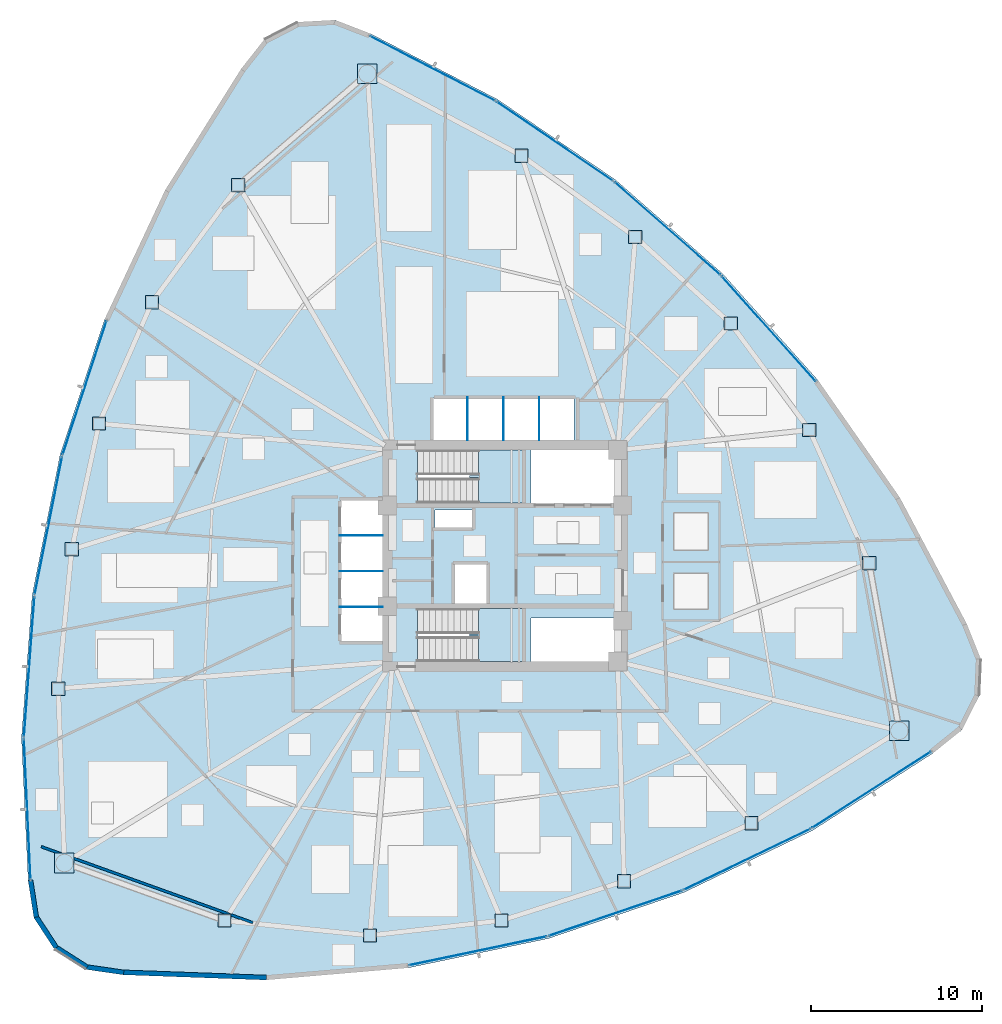
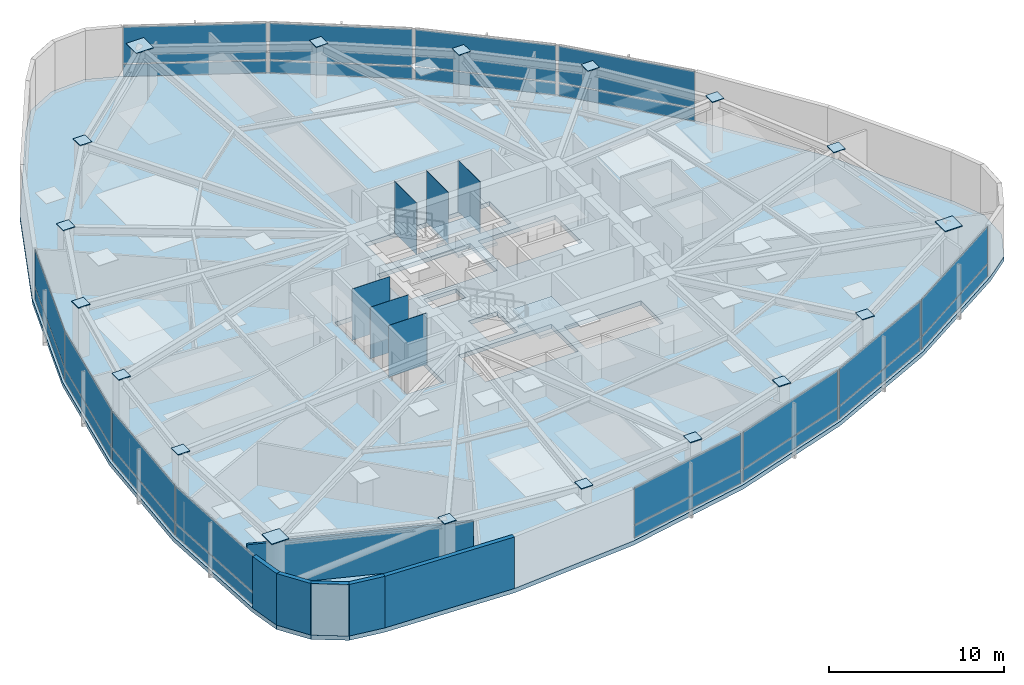
# One storey, part 10 of 17: 48 plates, 6 walls, 3 slabs, 14 elements without a shape of their own.
"""IFC4 building model written with IfcOpenShell, lengths in metres."""

from ifc_helpers import new_model, si_unit, direction, frame, frame_2d, origin, origin_2d, place, context, subcontext, project, spatial, polyline, rectangle, outline, extrude, source, transform, mapped, material, layer, layer_set, type_object, type_shapes, element, aggregate, save


model = new_model("IFC4")

# Units and contexts
model_context = context("Model", 3, precision=1e-05, world=origin(), true_north=direction((0.0, 1.0)))
body_context = subcontext(model_context, "Body", "Model", "MODEL_VIEW")
ifc_project = project(units=[si_unit("LENGTHUNIT", "METRE"), si_unit("AREAUNIT", "SQUARE_METRE"), si_unit("VOLUMEUNIT", "CUBIC_METRE"), si_unit("PLANEANGLEUNIT", "RADIAN"), si_unit("MASSUNIT", "GRAM", prefix="KILO")], contexts=[model_context])

# Site, building, storey
site_placement = place(None, origin())
site = spatial("IfcSite", under=ifc_project, at=site_placement, CompositionType="ELEMENT")
building_placement = place(site_placement, origin())
building = spatial("IfcBuilding", under=site, at=building_placement, Name="Tavelor Broadcast Tower", CompositionType="ELEMENT")
storey_placement = place(building_placement, frame((0.0, 0.0, 90.0)))
storey = spatial("IfcBuildingStorey", under=building, at=storey_placement, Name="L21", CompositionType="ELEMENT", Elevation=90.0)

# Stair, slab
ifc_material_1 = material(Name="Concrete C40/50", Category="concrete")
stair_type = type_object("IfcStairType", Name="Reinforced Concrete Protected Dogleg Stair 1450 mm", PredefinedType="HALF_TURN_STAIR", material=ifc_material_1)
stair_1_placement = place(storey_placement, origin())
stair_1 = element("IfcStair", 1, at=stair_1_placement, inside=storey, type_object=stair_type, Name="L21 Protected Core Exit Stair ST1", PredefinedType="HALF_TURN_STAIR")
ifc_layer_1 = layer(ifc_material_1, 0.199951171875)
ifc_layer_set_1 = layer_set([ifc_layer_1], Name="Concrete C40/50")
slab_type_1 = type_object("IfcSlabType", Name="Reinforced Concrete Stair Half-Landing Slab 200 mm", PredefinedType="LANDING", material=ifc_layer_set_1)
slab_1_placement = place(storey_placement, frame((0.0, 0.0, 1.75)))
slab_1 = element("IfcSlab", 2, at=slab_1_placement, type_object=slab_type_1, Name="ST1 landing 1", PredefinedType="LANDING", context=body_context, shape_type="SweptSolid", body=[
    extrude(outline(polyline([(48.445068359375, 49.590087890625), (48.445068359375, 48.094970703125), (51.0048828125, 48.094970703125), (51.0048828125, 51.205078125), (48.445068359375, 51.205078125), (48.445068359375, 49.7099609375), (47.905029296875, 49.7099609375), (47.905029296875, 49.590087890625), (48.445068359375, 49.590087890625)])), origin(), (0.0, 0.0, 1.0), 0.199951171875),
])
aggregate(stair_1, [slab_1])

stair_2_placement = place(storey_placement, origin())
stair_2 = element("IfcStair", 3, at=stair_2_placement, inside=storey, type_object=stair_type, Name="L21 Protected Core Exit Stair ST2", PredefinedType="HALF_TURN_STAIR")
slab_2_placement = place(storey_placement, frame((0.0, 0.0, 1.75)))
slab_2 = element("IfcSlab", 4, at=slab_2_placement, type_object=slab_type_1, Name="ST2 landing 1", PredefinedType="LANDING", context=body_context, shape_type="SweptSolid", body=[
    extrude(outline(polyline([(48.445068359375, 40.2900390625), (48.445068359375, 38.794921875), (51.0048828125, 38.794921875), (51.0048828125, 41.905029296875), (48.445068359375, 41.905029296875), (48.445068359375, 40.409912109375), (47.905029296875, 40.409912109375), (47.905029296875, 40.2900390625), (48.445068359375, 40.2900390625)])), origin(), (0.0, 0.0, 1.0), 0.199951171875),
])
aggregate(stair_2, [slab_2])

# Slab
ifc_layer_2 = layer(ifc_material_1, 0.300048828125)
ifc_layer_set_2 = layer_set([ifc_layer_2], Name="Concrete C40/50")
slab_type_2 = type_object("IfcSlabType", Name="Tower Composite Floor Slab 300 mm", PredefinedType="FLOOR", material=ifc_layer_set_2)
slab_3_placement = place(storey_placement, frame((0.0, 0.0, -0.300048828125)))
element("IfcSlab", 5, at=slab_3_placement, inside=storey, type_object=slab_type_2, Name="L21 Structural Floor Slab", PredefinedType="FLOOR", context=body_context, shape_type="SweptSolid", body=[
    extrude(outline(polyline([(42.08935546875, 75.62646484375), (40.035888671875, 76.4208984375), (37.83740234375, 76.2998046875), (35.88330078125, 75.284912109375), (34.520263671875, 73.5556640625), (30.069580078125, 66.4541015625), (26.510986328125, 58.866455078125), (23.896728515625, 50.903564453125), (22.265380859375, 42.68310546875), (21.640625, 34.325439453125), (22.031982421875, 25.95361328125), (22.370849609375, 23.778076171875), (23.57470703125, 21.9345703125), (25.430908203125, 20.75), (27.60986328125, 20.433837890625), (35.9853515625, 20.13037109375), (44.3359375, 20.84228515625), (52.538818359375, 22.559814453125), (60.473876953125, 25.257080078125), (68.024169921875, 28.89501953125), (75.07861328125, 33.419921875), (76.793212890625, 34.801025390625), (77.787841796875, 36.765625), (77.8857421875, 38.965087890625), (77.06982421875, 41.010498046875), (73.145263671875, 48.41552734375), (68.353271484375, 55.291259765625), (62.764404296875, 61.53662109375), (56.460693359375, 67.059814453125), (49.53515625, 71.779541015625), (42.08935546875, 75.62646484375)]), holes=[polyline([(56.60009765625, 38.800048828125), (51.52001953125, 38.800048828125), (51.52001953125, 41.35009765625), (56.60009765625, 41.35009765625), (56.60009765625, 38.800048828125)]), polyline([(50.99609375, 38.803955078125), (44.85400390625, 38.803955078125), (44.85400390625, 41.89599609375), (50.99609375, 41.89599609375), (50.99609375, 38.803955078125)]), polyline([(47.050048828125, 42.199951171875), (47.050048828125, 44.550048828125), (48.949951171875, 44.550048828125), (48.949951171875, 42.199951171875), (47.050048828125, 42.199951171875)]), polyline([(40.35009765625, 40.0), (40.35009765625, 48.25), (42.800048828125, 48.25), (42.800048828125, 40.0), (40.35009765625, 40.0)]), polyline([(48.050048828125, 46.64990234375), (45.89990234375, 46.64990234375), (45.89990234375, 47.699951171875), (48.050048828125, 47.699951171875), (48.050048828125, 46.64990234375)]), polyline([(50.99609375, 48.10400390625), (44.85400390625, 48.10400390625), (44.85400390625, 51.196044921875), (50.99609375, 51.196044921875), (50.99609375, 48.10400390625)]), polyline([(56.60009765625, 48.10009765625), (51.52001953125, 48.10009765625), (51.52001953125, 51.199951171875), (56.60009765625, 51.199951171875), (56.60009765625, 48.10009765625)]), polyline([(54.050048828125, 51.800048828125), (45.800048828125, 51.800048828125), (45.800048828125, 54.25), (54.050048828125, 54.25), (54.050048828125, 51.800048828125)])]), origin(), (0.0, 0.0, 1.0), 0.300048828125),
])

# Plates
ifc_material_2 = material(Name="Steel S460", Category="steel")
ifc_layer_3 = layer(ifc_material_2, 0.050048828125)
ifc_layer_set_3 = layer_set([ifc_layer_3], Name="Steel S460")
plate_type_1 = type_object("IfcPlateType", Name="Tube Hollow-End Cap Plate KN05 700x700x50", PredefinedType="USERDEFINED", material=ifc_layer_set_3)
shared_shape_1 = source(origin(), body_context, "Body", "SweptSolid", [
    extrude(rectangle(XDim=1.14697265625, YDim=1.14697265625, at=origin_2d()), origin(), (0.0, 0.0, 1.0), 0.054931640625),
])
for number, where, z_axis, x_axis, name in (
    (6, (41.923095703125, 73.266357421875, 3.57275390625), (0.0, 0.0, 1.0), (1.0, 0.0, 0.0), "L21 Hollow End Cap Plate KN05 #598"),
    (7, (24.1591796875, 26.98974609375, 3.57275390625), (0.0, 0.0, 1.0), (1.0, 0.0, 0.0), "L21 Hollow End Cap Plate KN05 #604"),
    (8, (73.117919921875, 34.743896484375, 3.57275390625), (0.0, 0.0, 1.0), (1.0, 0.0, 0.0), "L21 Hollow End Cap Plate KN05 #610"),
):
    element("IfcPlate", number, at=place(storey_placement, frame(where, z_axis=z_axis, x_axis=x_axis)), inside=storey, type_object=plate_type_1, Name=name, ObjectType="CAP PLATE", PredefinedType="USERDEFINED", context=body_context, shape_type="MappedRepresentation", body=[
        mapped(shared_shape_1, transform((0.0, 0.0, 0.0), scale=1.0)),
    ])
shared_shape_2 = source(origin(), body_context, "Body", "SweptSolid", [
    extrude(rectangle(XDim=0.780029296875, YDim=0.780029296875, at=origin_2d()), origin(), (0.0, 0.0, 1.0), 0.054931640625),
])
type_shapes(plate_type_1, [shared_shape_1, shared_shape_2])
for number, where, z_axis, x_axis, name in (
    (9, (34.356201171875, 66.727783203125, 3.57275390625), (0.0, 0.0, 1.0), (1.0, 0.0, 0.0), "L21 Hollow End Cap Plate KN05 #599"),
    (10, (29.292236328125, 59.87158203125, 3.57275390625), (0.0, 0.0, 1.0), (1.0, 0.0, 0.0), "L21 Hollow End Cap Plate KN05 #600"),
    (11, (26.189208984375, 52.75830078125, 3.57275390625), (0.0, 0.0, 1.0), (1.0, 0.0, 0.0), "L21 Hollow End Cap Plate KN05 #601"),
    (12, (24.58984375, 45.380615234375, 3.57275390625), (0.0, 0.0, 1.0), (1.0, 0.0, 0.0), "L21 Hollow End Cap Plate KN05 #602"),
    (13, (23.794677734375, 37.21630859375, 3.57275390625), (0.0, 0.0, 1.0), (1.0, 0.0, 0.0), "L21 Hollow End Cap Plate KN05 #603"),
    (14, (33.55078125, 23.615478515625, 3.57275390625), (0.0, 0.0, 1.0), (1.0, 0.0, 0.0), "L21 Hollow End Cap Plate KN05 #605"),
    (15, (42.0732421875, 22.740478515625, 3.57275390625), (0.0, 0.0, 1.0), (1.0, 0.0, 0.0), "L21 Hollow End Cap Plate KN05 #606"),
    (16, (49.78662109375, 23.617919921875, 3.57275390625), (0.0, 0.0, 1.0), (1.0, 0.0, 0.0), "L21 Hollow End Cap Plate KN05 #607"),
    (17, (56.975341796875, 25.92138671875, 3.57275390625), (0.0, 0.0, 1.0), (1.0, 0.0, 0.0), "L21 Hollow End Cap Plate KN05 #608"),
    (18, (64.443603515625, 29.31494140625, 3.57275390625), (0.0, 0.0, 1.0), (1.0, 0.0, 0.0), "L21 Hollow End Cap Plate KN05 #609"),
    (19, (71.343994140625, 44.564697265625, 3.57275390625), (0.0, 0.0, 1.0), (1.0, 0.0, 0.0), "L21 Hollow End Cap Plate KN05 #611"),
    (20, (67.8408203125, 52.382568359375, 3.57275390625), (0.0, 0.0, 1.0), (1.0, 0.0, 0.0), "L21 Hollow End Cap Plate KN05 #612"),
    (21, (63.22412109375, 58.623779296875, 3.57275390625), (0.0, 0.0, 1.0), (1.0, 0.0, 0.0), "L21 Hollow End Cap Plate KN05 #613"),
    (22, (57.634765625, 63.69775390625, 3.57275390625), (0.0, 0.0, 1.0), (1.0, 0.0, 0.0), "L21 Hollow End Cap Plate KN05 #614"),
    (23, (50.9619140625, 68.468505859375, 3.57275390625), (0.0, 0.0, 1.0), (1.0, 0.0, 0.0), "L21 Hollow End Cap Plate KN05 #615"),
):
    element("IfcPlate", number, at=place(storey_placement, frame(where, z_axis=z_axis, x_axis=x_axis)), inside=storey, type_object=plate_type_1, Name=name, ObjectType="CAP PLATE", PredefinedType="USERDEFINED", context=body_context, shape_type="MappedRepresentation", body=[
        mapped(shared_shape_2, transform((0.0, 0.0, 0.0), scale=1.0)),
    ])
ifc_material_3 = material(Name="Steel S355", Category="steel")
ifc_layer_4 = layer(ifc_material_3, 0.011962890625)
ifc_layer_set_4 = layer_set([ifc_layer_4], Name="Steel S355")
plate_type_2 = type_object("IfcPlateType", Name="Hoistway Steel Separator Screen 12 mm", PredefinedType="SHEET", material=ifc_layer_set_4)
shared_shape_3 = source(origin(), body_context, "Body", "SweptSolid", [
    extrude(rectangle(XDim=2.52001953125, YDim=0.02001953125, at=origin_2d()), origin(), (0.0, 0.0, 1.0), 3.60009765625),
])
for number, where, z_axis, x_axis, name in (
    (24, (41.56005859375, 42.0, 0.0), (0.0, 0.0, 1.0), (1.0, 0.0, 0.0), "L21 Low-Rise Hoistway Separator Screen 1"),
    (25, (41.56005859375, 44.10009765625, 0.0), (0.0, 0.0, 1.0), (1.0, 0.0, 0.0), "L21 Low-Rise Hoistway Separator Screen 2"),
    (26, (41.56005859375, 46.199951171875, 0.0), (0.0, 0.0, 1.0), (1.0, 0.0, 0.0), "L21 Low-Rise Hoistway Separator Screen 3"),
):
    element("IfcPlate", number, at=place(storey_placement, frame(where, z_axis=z_axis, x_axis=x_axis)), inside=storey, type_object=plate_type_2, Name=name, PredefinedType="SHEET", context=body_context, shape_type="MappedRepresentation", body=[
        mapped(shared_shape_3, transform((0.0, 0.0, 0.0), scale=1.0)),
    ])
shared_shape_4 = source(origin(), body_context, "Body", "SweptSolid", [
    extrude(rectangle(XDim=0.02001953125, YDim=2.52001953125, at=origin_2d()), origin(), (0.0, 0.0, 1.0), 3.60009765625),
])
type_shapes(plate_type_2, [shared_shape_3, shared_shape_4])
for number, where, z_axis, x_axis, name in (
    (27, (47.800048828125, 53.0400390625, 0.0), (0.0, 0.0, 1.0), (1.0, 0.0, 0.0), "L21 High-Rise Hoistway Separator Screen 1"),
    (28, (49.89990234375, 53.0400390625, 0.0), (0.0, 0.0, 1.0), (1.0, 0.0, 0.0), "L21 High-Rise Hoistway Separator Screen 2"),
    (29, (52.0, 53.0400390625, 0.0), (0.0, 0.0, 1.0), (1.0, 0.0, 0.0), "L21 High-Rise Hoistway Separator Screen 3"),
):
    element("IfcPlate", number, at=place(storey_placement, frame(where, z_axis=z_axis, x_axis=x_axis)), inside=storey, type_object=plate_type_2, Name=name, PredefinedType="SHEET", context=body_context, shape_type="MappedRepresentation", body=[
        mapped(shared_shape_4, transform((0.0, 0.0, 0.0), scale=1.0)),
    ])

# Curtain wall, plate
ifc_material_4 = material(Name="Architectural Anodized Aluminium", Category="aluminium")
ifc_layer_5 = layer(ifc_material_4, 0.179931640625)
ifc_layer_set_5 = layer_set([ifc_layer_5], Name="Architectural Anodized Aluminium")
curtain_wall_type = type_object("IfcCurtainWallType", Name="Tower Low-Zone Unitised Curtain Wall CW02", PredefinedType="NOTDEFINED", material=ifc_layer_set_5)
curtain_wall_1_placement = place(storey_placement, origin())
curtain_wall_1 = element("IfcCurtainWall", 30, at=curtain_wall_1_placement, inside=storey, type_object=curtain_wall_type, Name="L21 Curtain Wall CW02 Run 205", PredefinedType="NOTDEFINED")
ifc_material_5 = material(Name="Acoustic Double Glazing 28 mm", Category="glass")
ifc_layer_6 = layer(ifc_material_5, 0.028076171875)
ifc_layer_set_6 = layer_set([ifc_layer_6], Name="Acoustic Double Glazing 28 mm")
plate_type_3 = type_object("IfcPlateType", Name="CW02 Insulated Vision Glazing Panel 28 mm", PredefinedType="CURTAIN_PANEL", material=ifc_layer_set_6)
shared_shape_5 = source(origin(), body_context, "Body", "SweptSolid", [
    extrude(rectangle(XDim=8.218994140625, YDim=0.028076171875, at=origin_2d()), origin(), (0.0, 0.0, 1.0), 0.8525390625),
])
plate_1_placement = place(storey_placement, frame((25.339111328125, 54.848388671875, 0.06494140625), z_axis=(0.0, 0.0, 1.0), x_axis=(-0.311930585428, -0.950104894143, 0.0)))
plate_1 = element("IfcPlate", 31, at=plate_1_placement, type_object=plate_type_3, Name="CW02 panel 1.1", PredefinedType="CURTAIN_PANEL", context=body_context, shape_type="MappedRepresentation", body=[
    mapped(shared_shape_5, transform((0.0, 0.0, 0.0), scale=1.0)),
])

curtain_wall_2_placement = place(storey_placement, origin())
curtain_wall_2 = element("IfcCurtainWall", 32, at=curtain_wall_2_placement, inside=storey, type_object=curtain_wall_type, Name="L21 Curtain Wall CW02 Run 213", PredefinedType="NOTDEFINED")
plate_2_placement = place(storey_placement, frame((65.45947265625, 58.31494140625, 0.06494140625), z_axis=(0.0, 0.0, 1.0), x_axis=(-0.666866980155, 0.745176778207, 0.0)))
plate_2 = element("IfcPlate", 33, at=plate_2_placement, type_object=plate_type_3, Name="CW02 panel 1.1", PredefinedType="CURTAIN_PANEL", context=body_context, shape_type="MappedRepresentation", body=[
    mapped(shared_shape_5, transform((0.0, 0.0, 0.0), scale=1.0)),
])

# Plate
shared_shape_6 = source(origin(), body_context, "Body", "SweptSolid", [
    extrude(rectangle(XDim=8.218994140625, YDim=0.028076171875, at=origin_2d()), origin(), (0.0, 0.0, 1.0), 2.552490234375),
])
plate_3_placement = place(storey_placement, frame((25.339111328125, 54.848388671875, 0.982421875), z_axis=(0.0, 0.0, 1.0), x_axis=(-0.311930585428, -0.950104894143, 0.0)))
plate_3 = element("IfcPlate", 34, at=plate_3_placement, type_object=plate_type_3, Name="CW02 panel 1.2", PredefinedType="CURTAIN_PANEL", context=body_context, shape_type="MappedRepresentation", body=[
    mapped(shared_shape_6, transform((0.0, 0.0, 0.0), scale=1.0)),
])

aggregate(curtain_wall_1, [plate_1, plate_3])

plate_4_placement = place(storey_placement, frame((65.45947265625, 58.31494140625, 0.982421875), z_axis=(0.0, 0.0, 1.0), x_axis=(-0.666866980155, 0.745176778207, 0.0)))
plate_4 = element("IfcPlate", 35, at=plate_4_placement, type_object=plate_type_3, Name="CW02 panel 1.2", PredefinedType="CURTAIN_PANEL", context=body_context, shape_type="MappedRepresentation", body=[
    mapped(shared_shape_6, transform((0.0, 0.0, 0.0), scale=1.0)),
])

aggregate(curtain_wall_2, [plate_2, plate_4])

# Curtain wall, plate
curtain_wall_3_placement = place(storey_placement, origin())
curtain_wall_3 = element("IfcCurtainWall", 36, at=curtain_wall_3_placement, inside=storey, type_object=curtain_wall_type, Name="L21 Curtain Wall CW02 Run 206", PredefinedType="NOTDEFINED")
shared_shape_7 = source(origin(), body_context, "Body", "SweptSolid", [
    extrude(rectangle(XDim=8.203857421875, YDim=0.028076171875, at=origin_2d()), origin(), (0.0, 0.0, 1.0), 0.8525390625),
])
plate_5_placement = place(storey_placement, frame((23.21826171875, 46.76611328125, 0.06494140625), z_axis=(0.0, 0.0, 1.0), x_axis=(-0.194650632186, -0.9808726377, 0.0)))
plate_5 = element("IfcPlate", 37, at=plate_5_placement, type_object=plate_type_3, Name="CW02 panel 1.1", PredefinedType="CURTAIN_PANEL", context=body_context, shape_type="MappedRepresentation", body=[
    mapped(shared_shape_7, transform((0.0, 0.0, 0.0), scale=1.0)),
])

curtain_wall_4_placement = place(storey_placement, origin())
curtain_wall_4 = element("IfcCurtainWall", 38, at=curtain_wall_4_placement, inside=storey, type_object=curtain_wall_type, Name="L21 Curtain Wall CW02 Run 207", PredefinedType="NOTDEFINED")
plate_6_placement = place(storey_placement, frame((22.092529296875, 38.493896484375, 0.06494140625), z_axis=(0.0, 0.0, 1.0), x_axis=(-0.074528032949, -0.997218918946, 0.0)))
plate_6 = element("IfcPlate", 39, at=plate_6_placement, type_object=plate_type_3, Name="CW02 panel 1.1", PredefinedType="CURTAIN_PANEL", context=body_context, shape_type="MappedRepresentation", body=[
    mapped(shared_shape_7, transform((0.0, 0.0, 0.0), scale=1.0)),
])

curtain_wall_5_placement = place(storey_placement, origin())
curtain_wall_5 = element("IfcCurtainWall", 40, at=curtain_wall_5_placement, inside=storey, type_object=curtain_wall_type, Name="L21 Curtain Wall CW02 Run 210", PredefinedType="NOTDEFINED")
plate_7_placement = place(storey_placement, frame((56.46142578125, 24.041015625, 0.06494140625), z_axis=(0.0, 0.0, 1.0), x_axis=(0.946789931154, 0.32185218077, 0.0)))
plate_7 = element("IfcPlate", 41, at=plate_7_placement, type_object=plate_type_3, Name="CW02 panel 1.1", PredefinedType="CURTAIN_PANEL", context=body_context, shape_type="MappedRepresentation", body=[
    mapped(shared_shape_7, transform((0.0, 0.0, 0.0), scale=1.0)),
])

curtain_wall_6_placement = place(storey_placement, origin())
curtain_wall_6 = element("IfcCurtainWall", 42, at=curtain_wall_6_placement, inside=storey, type_object=curtain_wall_type, Name="L21 Curtain Wall CW02 Run 211", PredefinedType="NOTDEFINED")
plate_8_placement = place(storey_placement, frame((64.188232421875, 27.2021484375, 0.06494140625), z_axis=(0.0, 0.0, 1.0), x_axis=(0.900880387543, 0.434067422575, 0.0)))
plate_8 = element("IfcPlate", 43, at=plate_8_placement, type_object=plate_type_3, Name="CW02 panel 1.1", PredefinedType="CURTAIN_PANEL", context=body_context, shape_type="MappedRepresentation", body=[
    mapped(shared_shape_7, transform((0.0, 0.0, 0.0), scale=1.0)),
])

curtain_wall_7_placement = place(storey_placement, origin())
curtain_wall_7 = element("IfcCurtainWall", 44, at=curtain_wall_7_placement, inside=storey, type_object=curtain_wall_type, Name="L21 Curtain Wall CW02 Run 214", PredefinedType="NOTDEFINED")
plate_9_placement = place(storey_placement, frame((59.520263671875, 64.19287109375, 0.06494140625), z_axis=(0.0, 0.0, 1.0), x_axis=(-0.752134996782, 0.659009064138, 0.0)))
plate_9 = element("IfcPlate", 45, at=plate_9_placement, type_object=plate_type_3, Name="CW02 panel 1.1", PredefinedType="CURTAIN_PANEL", context=body_context, shape_type="MappedRepresentation", body=[
    mapped(shared_shape_7, transform((0.0, 0.0, 0.0), scale=1.0)),
])

curtain_wall_8_placement = place(storey_placement, origin())
curtain_wall_8 = element("IfcCurtainWall", 46, at=curtain_wall_8_placement, inside=storey, type_object=curtain_wall_type, Name="L21 Curtain Wall CW02 Run 215", PredefinedType="NOTDEFINED")
plate_10_placement = place(storey_placement, frame((52.919189453125, 69.303955078125, 0.06494140625), z_axis=(0.0, 0.0, 1.0), x_axis=(-0.826343339337, 0.563166658755, 0.0)))
plate_10 = element("IfcPlate", 47, at=plate_10_placement, type_object=plate_type_3, Name="CW02 panel 1.1", PredefinedType="CURTAIN_PANEL", context=body_context, shape_type="MappedRepresentation", body=[
    mapped(shared_shape_7, transform((0.0, 0.0, 0.0), scale=1.0)),
])

# Plate
shared_shape_8 = source(origin(), body_context, "Body", "SweptSolid", [
    extrude(rectangle(XDim=8.203857421875, YDim=0.028076171875, at=origin_2d()), origin(), (0.0, 0.0, 1.0), 2.552490234375),
])
plate_11_placement = place(storey_placement, frame((23.21826171875, 46.76611328125, 0.982421875), z_axis=(0.0, 0.0, 1.0), x_axis=(-0.194650632186, -0.9808726377, 0.0)))
plate_11 = element("IfcPlate", 48, at=plate_11_placement, type_object=plate_type_3, Name="CW02 panel 1.2", PredefinedType="CURTAIN_PANEL", context=body_context, shape_type="MappedRepresentation", body=[
    mapped(shared_shape_8, transform((0.0, 0.0, 0.0), scale=1.0)),
])

aggregate(curtain_wall_3, [plate_5, plate_11])

plate_12_placement = place(storey_placement, frame((22.092529296875, 38.493896484375, 0.982421875), z_axis=(0.0, 0.0, 1.0), x_axis=(-0.074528032949, -0.997218918946, 0.0)))
plate_12 = element("IfcPlate", 49, at=plate_12_placement, type_object=plate_type_3, Name="CW02 panel 1.2", PredefinedType="CURTAIN_PANEL", context=body_context, shape_type="MappedRepresentation", body=[
    mapped(shared_shape_8, transform((0.0, 0.0, 0.0), scale=1.0)),
])

aggregate(curtain_wall_4, [plate_6, plate_12])

plate_13_placement = place(storey_placement, frame((56.46142578125, 24.041015625, 0.982421875), z_axis=(0.0, 0.0, 1.0), x_axis=(0.946789931154, 0.32185218077, 0.0)))
plate_13 = element("IfcPlate", 50, at=plate_13_placement, type_object=plate_type_3, Name="CW02 panel 1.2", PredefinedType="CURTAIN_PANEL", context=body_context, shape_type="MappedRepresentation", body=[
    mapped(shared_shape_8, transform((0.0, 0.0, 0.0), scale=1.0)),
])

aggregate(curtain_wall_5, [plate_7, plate_13])

plate_14_placement = place(storey_placement, frame((64.188232421875, 27.2021484375, 0.982421875), z_axis=(0.0, 0.0, 1.0), x_axis=(0.900880387543, 0.434067422575, 0.0)))
plate_14 = element("IfcPlate", 51, at=plate_14_placement, type_object=plate_type_3, Name="CW02 panel 1.2", PredefinedType="CURTAIN_PANEL", context=body_context, shape_type="MappedRepresentation", body=[
    mapped(shared_shape_8, transform((0.0, 0.0, 0.0), scale=1.0)),
])

aggregate(curtain_wall_6, [plate_8, plate_14])

plate_15_placement = place(storey_placement, frame((59.520263671875, 64.19287109375, 0.982421875), z_axis=(0.0, 0.0, 1.0), x_axis=(-0.752134996782, 0.659009064138, 0.0)))
plate_15 = element("IfcPlate", 52, at=plate_15_placement, type_object=plate_type_3, Name="CW02 panel 1.2", PredefinedType="CURTAIN_PANEL", context=body_context, shape_type="MappedRepresentation", body=[
    mapped(shared_shape_8, transform((0.0, 0.0, 0.0), scale=1.0)),
])

aggregate(curtain_wall_7, [plate_9, plate_15])

plate_16_placement = place(storey_placement, frame((52.919189453125, 69.303955078125, 0.982421875), z_axis=(0.0, 0.0, 1.0), x_axis=(-0.826343339337, 0.563166658755, 0.0)))
plate_16 = element("IfcPlate", 53, at=plate_16_placement, type_object=plate_type_3, Name="CW02 panel 1.2", PredefinedType="CURTAIN_PANEL", context=body_context, shape_type="MappedRepresentation", body=[
    mapped(shared_shape_8, transform((0.0, 0.0, 0.0), scale=1.0)),
])

aggregate(curtain_wall_8, [plate_10, plate_16])

# Curtain wall, plate
curtain_wall_9_placement = place(storey_placement, origin())
curtain_wall_9 = element("IfcCurtainWall", 54, at=curtain_wall_9_placement, inside=storey, type_object=curtain_wall_type, Name="L21 Curtain Wall CW02 Run 208", PredefinedType="NOTDEFINED")
shared_shape_9 = source(origin(), body_context, "Body", "SweptSolid", [
    extrude(rectangle(XDim=8.219970703125, YDim=0.028076171875, at=origin_2d()), origin(), (0.0, 0.0, 1.0), 0.8525390625),
])
plate_17_placement = place(storey_placement, frame((21.9765625, 30.13818359375, 0.06494140625), z_axis=(0.0, 0.0, 1.0), x_axis=(0.04669512424, -0.99890918775, 0.0)))
plate_17 = element("IfcPlate", 55, at=plate_17_placement, type_object=plate_type_3, Name="CW02 panel 1.1", PredefinedType="CURTAIN_PANEL", context=body_context, shape_type="MappedRepresentation", body=[
    mapped(shared_shape_9, transform((0.0, 0.0, 0.0), scale=1.0)),
])

curtain_wall_10_placement = place(storey_placement, origin())
curtain_wall_10 = element("IfcCurtainWall", 56, at=curtain_wall_10_placement, inside=storey, type_object=curtain_wall_type, Name="L21 Curtain Wall CW02 Run 212", PredefinedType="NOTDEFINED")
plate_18_placement = place(storey_placement, frame((71.482421875, 31.279541015625, 0.06494140625), z_axis=(0.0, 0.0, 1.0), x_axis=(0.841731358842, 0.539896582265, 0.0)))
plate_18 = element("IfcPlate", 57, at=plate_18_placement, type_object=plate_type_3, Name="CW02 panel 1.1", PredefinedType="CURTAIN_PANEL", context=body_context, shape_type="MappedRepresentation", body=[
    mapped(shared_shape_9, transform((0.0, 0.0, 0.0), scale=1.0)),
])

curtain_wall_11_placement = place(storey_placement, origin())
curtain_wall_11 = element("IfcCurtainWall", 58, at=curtain_wall_11_placement, inside=storey, type_object=curtain_wall_type, Name="L21 Curtain Wall CW02 Run 216", PredefinedType="NOTDEFINED")
plate_19_placement = place(storey_placement, frame((45.740966796875, 73.582275390625, 0.06494140625), z_axis=(0.0, 0.0, 1.0), x_axis=(-0.888430220982, 0.459011701862, 0.0)))
plate_19 = element("IfcPlate", 59, at=plate_19_placement, type_object=plate_type_3, Name="CW02 panel 1.1", PredefinedType="CURTAIN_PANEL", context=body_context, shape_type="MappedRepresentation", body=[
    mapped(shared_shape_9, transform((0.0, 0.0, 0.0), scale=1.0)),
])

# Plate
shared_shape_10 = source(origin(), body_context, "Body", "SweptSolid", [
    extrude(rectangle(XDim=8.219970703125, YDim=0.028076171875, at=origin_2d()), origin(), (0.0, 0.0, 1.0), 2.552490234375),
])
plate_20_placement = place(storey_placement, frame((21.9765625, 30.13818359375, 0.982421875), z_axis=(0.0, 0.0, 1.0), x_axis=(0.04669512424, -0.99890918775, 0.0)))
plate_20 = element("IfcPlate", 60, at=plate_20_placement, type_object=plate_type_3, Name="CW02 panel 1.2", PredefinedType="CURTAIN_PANEL", context=body_context, shape_type="MappedRepresentation", body=[
    mapped(shared_shape_10, transform((0.0, 0.0, 0.0), scale=1.0)),
])

aggregate(curtain_wall_9, [plate_17, plate_20])

plate_21_placement = place(storey_placement, frame((71.482421875, 31.279541015625, 0.982421875), z_axis=(0.0, 0.0, 1.0), x_axis=(0.841731358842, 0.539896582265, 0.0)))
plate_21 = element("IfcPlate", 61, at=plate_21_placement, type_object=plate_type_3, Name="CW02 panel 1.2", PredefinedType="CURTAIN_PANEL", context=body_context, shape_type="MappedRepresentation", body=[
    mapped(shared_shape_10, transform((0.0, 0.0, 0.0), scale=1.0)),
])

aggregate(curtain_wall_10, [plate_18, plate_21])

plate_22_placement = place(storey_placement, frame((45.740966796875, 73.582275390625, 0.982421875), z_axis=(0.0, 0.0, 1.0), x_axis=(-0.888430220982, 0.459011701862, 0.0)))
plate_22 = element("IfcPlate", 62, at=plate_22_placement, type_object=plate_type_3, Name="CW02 panel 1.2", PredefinedType="CURTAIN_PANEL", context=body_context, shape_type="MappedRepresentation", body=[
    mapped(shared_shape_10, transform((0.0, 0.0, 0.0), scale=1.0)),
])

aggregate(curtain_wall_11, [plate_19, plate_22])

# Curtain wall, plates
curtain_wall_12_placement = place(storey_placement, origin())
curtain_wall_12 = element("IfcCurtainWall", 63, at=curtain_wall_12_placement, inside=storey, type_object=curtain_wall_type, Name="L21 Curtain Wall CW02 Run 209", PredefinedType="NOTDEFINED")
shared_shape_11 = source(origin(), body_context, "Body", "SweptSolid", [
    extrude(rectangle(XDim=8.21875, YDim=0.028076171875, at=origin_2d()), origin(), (0.0, 0.0, 1.0), 0.8525390625),
])
plate_23_placement = place(storey_placement, frame((48.4013671875, 21.836669921875, 0.06494140625), z_axis=(0.0, 0.0, 1.0), x_axis=(0.978779955725, 0.204914124139, 0.0)))
plate_23 = element("IfcPlate", 64, at=plate_23_placement, type_object=plate_type_3, Name="CW02 panel 1.1", PredefinedType="CURTAIN_PANEL", context=body_context, shape_type="MappedRepresentation", body=[
    mapped(shared_shape_11, transform((0.0, 0.0, 0.0), scale=1.0)),
])
shared_shape_12 = source(origin(), body_context, "Body", "SweptSolid", [
    extrude(rectangle(XDim=8.21875, YDim=0.028076171875, at=origin_2d()), origin(), (0.0, 0.0, 1.0), 2.552490234375),
])
type_shapes(plate_type_3, [shared_shape_5, shared_shape_6, shared_shape_7, shared_shape_8, shared_shape_9, shared_shape_10, shared_shape_11, shared_shape_12])
plate_24_placement = place(storey_placement, frame((48.4013671875, 21.836669921875, 0.982421875), z_axis=(0.0, 0.0, 1.0), x_axis=(0.978779955725, 0.204914124139, 0.0)))
plate_24 = element("IfcPlate", 65, at=plate_24_placement, type_object=plate_type_3, Name="CW02 panel 1.2", PredefinedType="CURTAIN_PANEL", context=body_context, shape_type="MappedRepresentation", body=[
    mapped(shared_shape_12, transform((0.0, 0.0, 0.0), scale=1.0)),
])
aggregate(curtain_wall_12, [plate_23, plate_24])

# Walls
ifc_material_6 = material(Name="Precast Concrete C40/50", Category="concrete")
ifc_layer_7 = layer(ifc_material_6, 0.280029296875)
ifc_layer_set_7 = layer_set([ifc_layer_7], Name="Precast Concrete C40/50")
wall_type_1 = type_object("IfcWallType", Name="Insulated Precast Terracotta Facade Wall 280 mm", PredefinedType="STANDARD", material=ifc_layer_set_7)
wall_1_placement = place(storey_placement, frame((22.1708984375, 25.9716796875, 0.0), z_axis=(0.0, 0.0, 1.0), x_axis=(0.153888996455, -0.988088142207, 0.0)))
element("IfcWall", 66, at=wall_1_placement, inside=storey, type_object=wall_type_1, Name="L21 Rounded Corner Structural Cladding Pier 11", PredefinedType="STANDARD", context=body_context, shape_type="SweptSolid", body=[
    extrude(rectangle(XDim=2.18310546875, YDim=0.280029296875, at=frame_2d((1.091552734375, 0.0))), origin(), (0.0, 0.0, 1.0), 3.60009765625),
])
for number, where, z_axis, x_axis, name in (
    (67, (22.496337890625, 23.842041015625, 0.0), (0.0, 0.0, 1.0), (0.546710087958, -0.837321968973, 0.0), "L21 Rounded Corner Structural Cladding Pier 12"),
    (68, (23.662841796875, 22.04443359375, 0.0), (0.0, 0.0, 1.0), (0.842971024139, -0.537958969126, 0.0), "L21 Rounded Corner Structural Cladding Pier 13"),
):
    element("IfcWall", number, at=place(storey_placement, frame(where, z_axis=z_axis, x_axis=x_axis)), inside=storey, type_object=wall_type_1, Name=name, PredefinedType="STANDARD", context=body_context, shape_type="SweptSolid", body=[
        extrude(rectangle(XDim=2.171630859375, YDim=0.280029296875, at=frame_2d((1.0859375, 0.0))), origin(), (0.0, 0.0, 1.0), 3.60009765625),
    ])
wall_2_placement = place(storey_placement, frame((25.4658203125, 20.88623046875, 0.0), z_axis=(0.0, 0.0, 1.0), x_axis=(0.989646861638, -0.143523828163, 0.0)))
element("IfcWall", 69, at=wall_2_placement, inside=storey, type_object=wall_type_1, Name="L21 Rounded Corner Structural Cladding Pier 14", PredefinedType="STANDARD", context=body_context, shape_type="SweptSolid", body=[
    extrude(rectangle(XDim=2.1943359375, YDim=0.280029296875, at=frame_2d((1.09716796875, 0.0))), origin(), (0.0, 0.0, 1.0), 3.60009765625),
])
wall_3_placement = place(storey_placement, frame((27.607421875, 20.57421875, 0.0), z_axis=(0.0, 0.0, 1.0), x_axis=(0.999343256247, -0.036236117256, 0.0)))
element("IfcWall", 70, at=wall_3_placement, inside=storey, type_object=wall_type_1, Name="L21 Rounded Corner Structural Cladding Pier 15", PredefinedType="STANDARD", context=body_context, shape_type="SweptSolid", body=[
    extrude(rectangle(XDim=8.39501953125, YDim=0.280029296875, at=frame_2d((4.197509765625, 0.0))), origin(), (0.0, 0.0, 1.0), 3.60009765625),
])
ifc_material_7 = material(Name="Gypsum Acoustic Plasterboard 150 mm", Category="gypsum")
ifc_layer_8 = layer(ifc_material_7, 0.14990234375)
ifc_layer_set_8 = layer_set([ifc_layer_8], Name="Gypsum Acoustic Plasterboard 150 mm")
wall_type_2 = type_object("IfcWallType", Name="Interior Acoustic Partition Wall 150 mm", PredefinedType="PARTITIONING", material=ifc_layer_set_8)
wall_4_placement = place(storey_placement, frame((22.802001953125, 27.94482421875, 0.0), z_axis=(0.0, 0.0, 1.0), x_axis=(0.941102349209, -0.338121824662, 0.0)))
element("IfcWall", 71, at=wall_4_placement, inside=storey, type_object=wall_type_2, Name="L21 Corner Tube Brace Furring Wall 2", PredefinedType="PARTITIONING", context=body_context, shape_type="SweptSolid", body=[
    extrude(rectangle(XDim=13.1796875, YDim=0.14990234375, at=frame_2d((6.58984375, 0.0))), origin(), (0.0, 0.0, 1.0), 2.97509765625),
])

save(model, "model.ifc")
